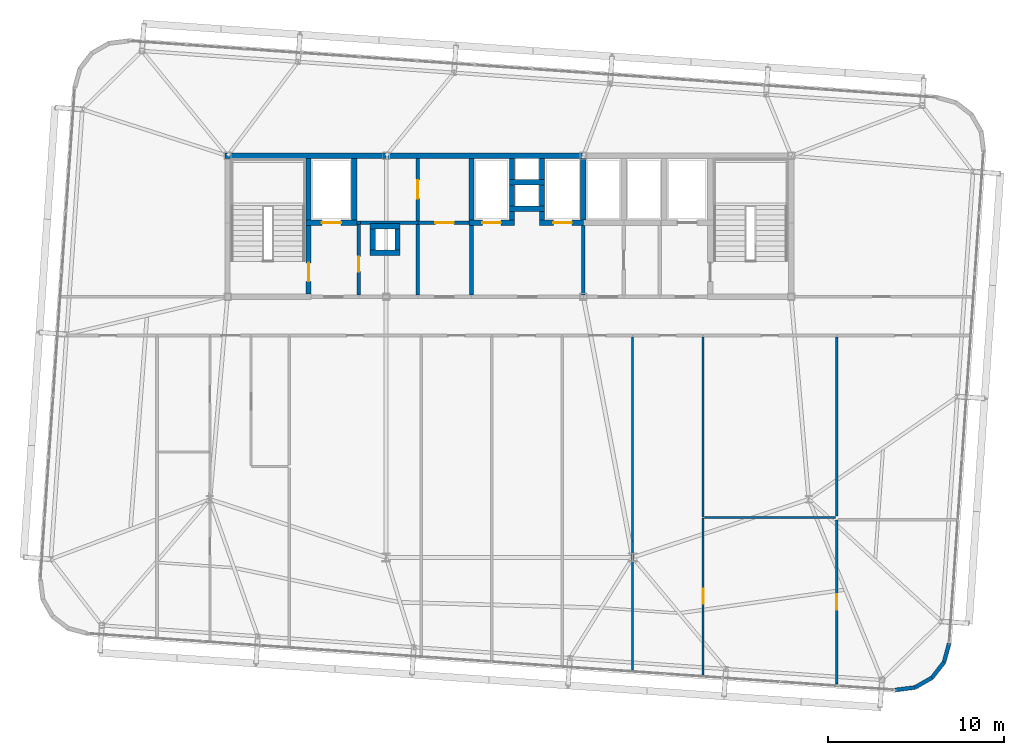
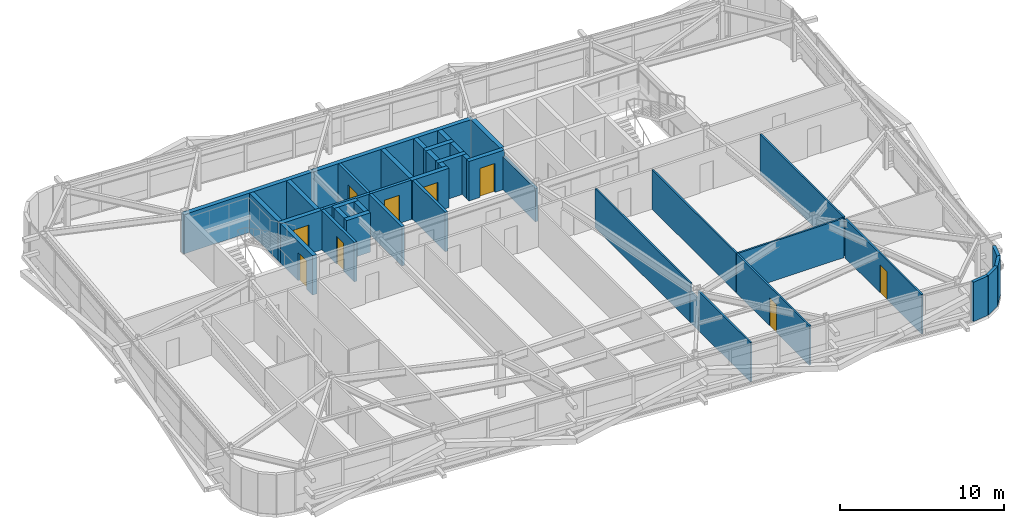
# One storey, part 42 of 47: 42 walls, 9 doors, 9 openings.
"""IFC4 building model written with IfcOpenShell, lengths in metres."""

from ifc_helpers import new_model, si_unit, direction, frame, frame_2d, origin, place, context, subcontext, project, spatial, rectangle, extrude, source, transform, mapped, material, layer, layer_set, type_object, element, fill, save


model = new_model("IFC4")

# Units and contexts
model_context = context("Model", 3, precision=1e-05, world=origin(), true_north=direction((0.0, 1.0)))
body_context = subcontext(model_context, "Body", "Model", "MODEL_VIEW")
ifc_project = project(units=[si_unit("LENGTHUNIT", "METRE"), si_unit("AREAUNIT", "SQUARE_METRE"), si_unit("VOLUMEUNIT", "CUBIC_METRE"), si_unit("PLANEANGLEUNIT", "RADIAN"), si_unit("MASSUNIT", "GRAM", prefix="KILO")], contexts=[model_context])

# Site, building, storey
site_placement = place(None, origin())
site = spatial("IfcSite", under=ifc_project, at=site_placement, CompositionType="ELEMENT")
building_placement = place(site_placement, origin())
building = spatial("IfcBuilding", under=site, at=building_placement, Name="Taldren Reach Tower", CompositionType="ELEMENT")
storey_placement = place(building_placement, frame((0.0, 0.0, 139.300048828125)))
storey = spatial("IfcBuildingStorey", under=building, at=storey_placement, Name="L42", CompositionType="ELEMENT", Elevation=139.300048828125)

# Walls
ifc_material_1 = material(Name="Pale Champagne Anodised Aluminium Cladding", Category="aluminium")
ifc_layer_1 = layer(ifc_material_1, 0.04, Name="Pale Champagne Anodised Aluminium Cladding", Category="aluminium")
ifc_material_2 = material(Name="Mineral Wool Acoustic Insulation", Category="insulation")
ifc_layer_2 = layer(ifc_material_2, 0.06, Name="Mineral Wool Acoustic Insulation", Category="insulation")
ifc_material_3 = material(Name="Steel Gr 350 (C350L0)", Category="steel")
ifc_layer_3 = layer(ifc_material_3, 0.12, Name="Steel Gr 350 (C350L0)", Category="steel")
ifc_layer_set_1 = layer_set([ifc_layer_1, ifc_layer_2, ifc_layer_3], Name="Pale Champagne Aluminium Cladding and Steel Gr 350 Stud Framing")
wall_type_1 = type_object("IfcWallType", Name="EW-CRN-220", PredefinedType="SOLIDWALL", material=ifc_layer_set_1)
shared_shape_1 = source(origin(), body_context, "Body", "SweptSolid", [
    extrude(rectangle(XDim=1.115966796875, YDim=0.219970703125, at=frame_2d((0.55810546875, 0.0))), origin(), (0.0, 0.0, 1.0), 2.929931640625),
])
for number, where, z_axis, x_axis, name in (
    (1, (58.02490234375, 1.8173828125, 0.0), (0.0, 0.0, 1.0), (0.868095010314, 0.496398079235, 0.0), "Rounded-corner pale-metal facade wall L42-SE2"),
    (2, (58.99365234375, 2.371337890625, 0.0), (0.0, 0.0, 1.0), (0.612318787668, 0.790610967714, 0.0), "Rounded-corner pale-metal facade wall L42-SE3"),
    (3, (59.677001953125, 3.253662109375, 0.0), (0.0, 0.0, 1.0), (0.262969307856, 0.964804199372, 0.0), "Rounded-corner pale-metal facade wall L42-SE4"),
):
    element("IfcWall", number, at=place(storey_placement, frame(where, z_axis=z_axis, x_axis=x_axis)), inside=storey, type_object=wall_type_1, Name=name, PredefinedType="SOLIDWALL", context=body_context, shape_type="MappedRepresentation", body=[
        mapped(shared_shape_1, transform((0.0, 0.0, 0.0), scale=1.0)),
    ])
shared_shape_2 = source(origin(), body_context, "Body", "SweptSolid", [
    extrude(rectangle(XDim=1.11572265625, YDim=0.219970703125, at=frame_2d((0.557861328125, 0.0))), origin(), (0.0, 0.0, 1.0), 2.929931640625),
])
wall_1_placement = place(storey_placement, frame((56.91796875, 1.6767578125, 0.0), z_axis=(0.0, 0.0, 1.0), x_axis=(0.99202678349, 0.126027222605, 0.0)))
element("IfcWall", 4, at=wall_1_placement, inside=storey, type_object=wall_type_1, Name="Rounded-corner pale-metal facade wall L42-SE1", PredefinedType="SOLIDWALL", context=body_context, shape_type="MappedRepresentation", body=[
    mapped(shared_shape_2, transform((0.0, 0.0, 0.0), scale=1.0)),
])
ifc_material_4 = material(Name="Concrete S65 (65 MPa)", Category="concrete")
ifc_layer_4 = layer(ifc_material_4, 0.300048828125)
ifc_layer_set_2 = layer_set([ifc_layer_4], Name="Concrete S65 (65 MPa)")
wall_type_2 = type_object("IfcWallType", Name="IW-CORE-300", PredefinedType="SHEAR", material=ifc_layer_set_2)
shared_shape_3 = source(origin(), body_context, "Body", "SweptSolid", [
    extrude(rectangle(XDim=9.14990234375, YDim=0.300048828125, at=frame_2d((4.574951171875, 0.0))), origin(), (0.0, 0.0, 1.0), 2.929931640625),
])
wall_2_placement = place(storey_placement, frame((18.85009765625, 32.0, 0.0), z_axis=(0.0, 0.0, 1.0), x_axis=(1.0, 0.0, 0.0)))
element("IfcWall", 5, at=wall_2_placement, inside=storey, type_object=wall_type_2, Name="Rear Core Shear Wall W-CORE-L42-NORTH1", PredefinedType="SHEAR", context=body_context, shape_type="MappedRepresentation", body=[
    mapped(shared_shape_3, transform((0.0, 0.0, 0.0), scale=1.0)),
])
shared_shape_4 = source(origin(), body_context, "Body", "SweptSolid", [
    extrude(rectangle(XDim=11.199951171875, YDim=0.300048828125, at=frame_2d((5.60009765625, 0.0))), origin(), (0.0, 0.0, 1.0), 2.929931640625),
])
wall_3_placement = place(storey_placement, frame((28.0, 32.0, 0.0), z_axis=(0.0, 0.0, 1.0), x_axis=(1.0, 0.0, 0.0)))
element("IfcWall", 6, at=wall_3_placement, inside=storey, type_object=wall_type_2, Name="Rear Core Shear Wall W-CORE-L42-NORTH2", PredefinedType="SHEAR", context=body_context, shape_type="MappedRepresentation", body=[
    mapped(shared_shape_4, transform((0.0, 0.0, 0.0), scale=1.0)),
])
shared_shape_5 = source(origin(), body_context, "Body", "SweptSolid", [
    extrude(rectangle(XDim=3.5, YDim=0.300048828125, at=frame_2d((1.75, 0.0))), origin(), (0.0, 0.0, 1.0), 2.929931640625),
])
for number, where, z_axis, x_axis, name in (
    (7, (23.60009765625, 28.35009765625, 0.0), (0.0, 0.0, 1.0), (0.0, 1.0, 0.0), "Rear Core Shear Wall W-INT-L42-001"),
    (8, (26.199951171875, 28.35009765625, 0.0), (0.0, 0.0, 1.0), (0.0, 1.0, 0.0), "Rear Core Shear Wall W-INT-L42-005"),
    (9, (32.85009765625, 31.85009765625, 0.0), (0.0, 0.0, 1.0), (0.0, -1.0, 0.0), "Rear Core Shear Wall W-INT-L42-027"),
    (10, (39.199951171875, 28.35009765625, 0.0), (0.0, 0.0, 1.0), (0.0, 1.0, 0.0), "Rear Core Shear Wall W-INT-L42-030"),
):
    element("IfcWall", number, at=place(storey_placement, frame(where, z_axis=z_axis, x_axis=x_axis)), inside=storey, type_object=wall_type_2, Name=name, PredefinedType="SHEAR", context=body_context, shape_type="MappedRepresentation", body=[
        mapped(shared_shape_5, transform((0.0, 0.0, 0.0), scale=1.0)),
    ])

# Wall, opening, door
shared_shape_6 = source(origin(), body_context, "Body", "SweptSolid", [
    extrude(rectangle(XDim=3.900146484375, YDim=0.300048828125, at=frame_2d((1.9501953125, 0.0))), origin(), (0.0, 0.0, 1.0), 2.929931640625),
])
wall_4_placement = place(storey_placement, frame((23.60009765625, 24.14990234375, 0.0), z_axis=(0.0, 0.0, 1.0), x_axis=(0.0, 1.0, 0.0)))
wall_4 = element("IfcWall", 11, at=wall_4_placement, inside=storey, type_object=wall_type_2, Name="Rear Core Shear Wall W-INT-L42-002", PredefinedType="SHEAR", context=body_context, shape_type="MappedRepresentation", body=[
    mapped(shared_shape_6, transform((0.0, 0.0, 0.0), scale=1.0)),
])
shared_shape_7 = source(origin(), body_context, "Body", "SweptSolid", [
    extrude(rectangle(XDim=1.050048828125, YDim=2.10009765625, at=frame_2d((0.52490234375, 1.050048828125))), frame((0.0, 0.16015625, 0.0), z_axis=(0.0, -1.0, 0.0), x_axis=(1.0, 0.0, 0.0)), (0.0, 0.0, 1.0), 0.320068359375),
])
opening_1_placement = place(wall_4_placement, frame((0.72509765625, 0.0, 0.0)))
opening_1 = element("IfcOpeningElement", 12, at=opening_1_placement, cuts=wall_4, Name="Opening DF-105", PredefinedType="OPENING", context=body_context, shape_type="MappedRepresentation", body=[
    mapped(shared_shape_7, transform((0.0, 0.0, 0.0), scale=1.0)),
])
ifc_material_5 = material(Name="Fire-Rated Care and Stair Exit Door")
door_type_1 = type_object("IfcDoorType", Name="ID-FIRE-105", OperationType="NOTDEFINED", PredefinedType="DOOR", material=ifc_material_5)
shared_shape_8 = source(origin(), body_context, "Body", "SweptSolid", [
    extrude(rectangle(XDim=1.050048828125, YDim=2.10009765625, at=frame_2d((0.52490234375, 1.050048828125))), frame((0.0, 0.02490234375, 0.0), z_axis=(0.0, -1.0, 0.0), x_axis=(1.0, 0.0, 0.0)), (0.0, 0.0, 1.0), 0.050048828125),
])
door_1_placement = place(opening_1_placement, origin())
door_1 = element("IfcDoor", 13, at=door_1_placement, inside=storey, type_object=door_type_1, Name="Fire Exit Stair Door DR-L42-001", OperationType="SINGLE_SWING_LEFT", OverallHeight=2.10009765625, OverallWidth=1.050048828125, PredefinedType="DOOR", context=body_context, shape_type="MappedRepresentation", body=[
    mapped(shared_shape_8, transform((0.0, 0.0, 0.0), scale=1.0)),
])
fill(opening_1, door_1)

shared_shape_9 = source(origin(), body_context, "Body", "SweptSolid", [
    extrude(rectangle(XDim=2.900146484375, YDim=0.300048828125, at=frame_2d((1.4501953125, 0.0))), origin(), (0.0, 0.0, 1.0), 2.929931640625),
])
wall_5_placement = place(storey_placement, frame((23.449951171875, 28.199951171875, 0.0), z_axis=(0.0, 0.0, 1.0), x_axis=(1.0, 0.0, 0.0)))
wall_5 = element("IfcWall", 14, at=wall_5_placement, inside=storey, type_object=wall_type_2, Name="Rear Core Shear Wall W-INT-L42-004", PredefinedType="SHEAR", context=body_context, shape_type="MappedRepresentation", body=[
    mapped(shared_shape_9, transform((0.0, 0.0, 0.0), scale=1.0)),
])
shared_shape_10 = source(origin(), body_context, "Body", "SweptSolid", [
    extrude(rectangle(XDim=1.10009765625, YDim=2.14990234375, at=frame_2d((0.550048828125, 1.074951171875))), frame((0.0, 0.16015625, 0.0), z_axis=(0.0, -1.0, 0.0), x_axis=(1.0, 0.0, 0.0)), (0.0, 0.0, 1.0), 0.320068359375),
])
opening_2_placement = place(wall_5_placement, frame((0.89990234375, 0.0, 0.0)))
opening_2 = element("IfcOpeningElement", 15, at=opening_2_placement, cuts=wall_5, Name="Opening LD-FL1", PredefinedType="OPENING", context=body_context, shape_type="MappedRepresentation", body=[
    mapped(shared_shape_10, transform((0.0, 0.0, 0.0), scale=1.0)),
])
ifc_material_6 = material(Name="Stainless Steel Gr 316 Emergency Lift Landing Door", Category="steel")
door_type_2 = type_object("IfcDoorType", Name="LD-EMG-110", OperationType="SLIDING_TO_LEFT", PredefinedType="DOOR", material=ifc_material_6)
shared_shape_11 = source(origin(), body_context, "Body", "SweptSolid", [
    extrude(rectangle(XDim=1.10009765625, YDim=2.14990234375, at=frame_2d((0.550048828125, 1.074951171875))), frame((0.0, 0.02490234375, 0.0), z_axis=(0.0, -1.0, 0.0), x_axis=(1.0, 0.0, 0.0)), (0.0, 0.0, 1.0), 0.050048828125),
])
door_2_placement = place(opening_2_placement, origin())
door_2 = element("IfcDoor", 16, at=door_2_placement, inside=storey, type_object=door_type_2, Name="Lift Landing Door LD-FL1-L42", OperationType="SLIDING_TO_LEFT", OverallHeight=2.14990234375, OverallWidth=1.10009765625, PredefinedType="DOOR", context=body_context, shape_type="MappedRepresentation", body=[
    mapped(shared_shape_11, transform((0.0, 0.0, 0.0), scale=1.0)),
])
fill(opening_2, door_2)

# Walls
ifc_material_7 = material(Name="Concrete S50 (50 MPa)", Category="concrete")
ifc_layer_5 = layer(ifc_material_7, 0.199951171875)
ifc_layer_set_3 = layer_set([ifc_layer_5], Name="Concrete S50 (50 MPa)")
wall_type_3 = type_object("IfcWallType", Name="IW-CORE-200", PredefinedType="SOLIDWALL", material=ifc_layer_set_3)
shared_shape_12 = source(origin(), body_context, "Body", "SweptSolid", [
    extrude(rectangle(XDim=3.949951171875, YDim=0.199951171875, at=frame_2d((1.97509765625, 0.0))), origin(), (0.0, 0.0, 1.0), 2.929931640625),
])
wall_6_placement = place(storey_placement, frame((32.85009765625, 24.10009765625, 0.0), z_axis=(0.0, 0.0, 1.0), x_axis=(0.0, 1.0, 0.0)))
element("IfcWall", 17, at=wall_6_placement, inside=storey, type_object=wall_type_3, Name="Rear Core Shear Wall W-INT-L42-031", PredefinedType="SOLIDWALL", context=body_context, shape_type="MappedRepresentation", body=[
    mapped(shared_shape_12, transform((0.0, 0.0, 0.0), scale=1.0)),
])
shared_shape_13 = source(origin(), body_context, "Body", "SweptSolid", [
    extrude(rectangle(XDim=2.0, YDim=0.300048828125, at=frame_2d((1.0, 0.0))), origin(), (0.0, 0.0, 1.0), 2.929931640625),
])
for number, where, z_axis, x_axis, name in (
    (18, (35.0, 30.5, 0.0), (0.0, 0.0, 1.0), (1.0, 0.0, 0.0), "Rear Core Shear Wall W-INT-L42-015"),
    (19, (35.0, 29.0, 0.0), (0.0, 0.0, 1.0), (1.0, 0.0, 0.0), "Rear Core Shear Wall W-INT-L42-020"),
):
    element("IfcWall", number, at=place(storey_placement, frame(where, z_axis=z_axis, x_axis=x_axis)), inside=storey, type_object=wall_type_2, Name=name, PredefinedType="SHEAR", context=body_context, shape_type="MappedRepresentation", body=[
        mapped(shared_shape_13, transform((0.0, 0.0, 0.0), scale=1.0)),
    ])
shared_shape_14 = source(origin(), body_context, "Body", "SweptSolid", [
    extrude(rectangle(XDim=1.2001953125, YDim=0.300048828125, at=frame_2d((0.60009765625, 0.0))), origin(), (0.0, 0.0, 1.0), 2.929931640625),
])
for number, where, z_axis, x_axis, name in (
    (20, (35.14990234375, 31.85009765625, 0.0), (0.0, 0.0, 1.0), (0.0, -1.0, 0.0), "Rear Core Shear Wall W-INT-L42-016"),
    (21, (36.85009765625, 30.64990234375, 0.0), (0.0, 0.0, 1.0), (0.0, 1.0, 0.0), "Rear Core Shear Wall W-INT-L42-017"),
    (22, (35.14990234375, 30.35009765625, 0.0), (0.0, 0.0, 1.0), (0.0, -1.0, 0.0), "Rear Core Shear Wall W-INT-L42-018"),
    (23, (36.85009765625, 29.14990234375, 0.0), (0.0, 0.0, 1.0), (0.0, 1.0, 0.0), "Rear Core Shear Wall W-INT-L42-019"),
    (24, (28.64990234375, 26.64990234375, 0.0), (0.0, 0.0, 1.0), (0.0, 1.0, 0.0), "Rear Core Shear Wall W-INT-L42-021"),
    (25, (27.25, 27.85009765625, 0.0), (0.0, 0.0, 1.0), (0.0, -1.0, 0.0), "Rear Core Shear Wall W-INT-L42-022"),
):
    element("IfcWall", number, at=place(storey_placement, frame(where, z_axis=z_axis, x_axis=x_axis)), inside=storey, type_object=wall_type_2, Name=name, PredefinedType="SHEAR", context=body_context, shape_type="MappedRepresentation", body=[
        mapped(shared_shape_14, transform((0.0, 0.0, 0.0), scale=1.0)),
    ])
shared_shape_15 = source(origin(), body_context, "Body", "SweptSolid", [
    extrude(rectangle(XDim=0.5, YDim=0.300048828125, at=frame_2d((0.25, 0.0))), origin(), (0.0, 0.0, 1.0), 2.929931640625),
])
for number, where, z_axis, x_axis, name in (
    (26, (35.14990234375, 28.35009765625, 0.0), (0.0, 0.0, 1.0), (0.0, 1.0, 0.0), "Rear Core Shear Wall W-INT-L42-026"),
    (27, (36.85009765625, 28.85009765625, 0.0), (0.0, 0.0, 1.0), (0.0, -1.0, 0.0), "Rear Core Shear Wall W-INT-L42-029"),
):
    element("IfcWall", number, at=place(storey_placement, frame(where, z_axis=z_axis, x_axis=x_axis)), inside=storey, type_object=wall_type_2, Name=name, PredefinedType="SHEAR", context=body_context, shape_type="MappedRepresentation", body=[
        mapped(shared_shape_15, transform((0.0, 0.0, 0.0), scale=1.0)),
    ])

# Wall, opening, door
shared_shape_16 = source(origin(), body_context, "Body", "SweptSolid", [
    extrude(rectangle(XDim=2.60009765625, YDim=0.300048828125, at=frame_2d((1.300048828125, 0.0))), origin(), (0.0, 0.0, 1.0), 2.929931640625),
])
wall_7_placement = place(storey_placement, frame((32.699951171875, 28.199951171875, 0.0), z_axis=(0.0, 0.0, 1.0), x_axis=(1.0, 0.0, 0.0)))
wall_7 = element("IfcWall", 28, at=wall_7_placement, inside=storey, type_object=wall_type_2, Name="Rear Core Shear Wall W-INT-L42-025", PredefinedType="SHEAR", context=body_context, shape_type="MappedRepresentation", body=[
    mapped(shared_shape_16, transform((0.0, 0.0, 0.0), scale=1.0)),
])
shared_shape_17 = source(origin(), body_context, "Body", "SweptSolid", [
    extrude(rectangle(XDim=1.050048828125, YDim=2.14990234375, at=frame_2d((0.52490234375, 1.074951171875))), frame((0.0, 0.16015625, 0.0), z_axis=(0.0, -1.0, 0.0), x_axis=(1.0, 0.0, 0.0)), (0.0, 0.0, 1.0), 0.320068359375),
])
opening_3_placement = place(wall_7_placement, frame((0.77490234375, 0.0, 0.0)))
opening_3 = element("IfcOpeningElement", 29, at=opening_3_placement, cuts=wall_7, Name="Opening LD-PM1", PredefinedType="OPENING", context=body_context, shape_type="MappedRepresentation", body=[
    mapped(shared_shape_17, transform((0.0, 0.0, 0.0), scale=1.0)),
])
ifc_material_8 = material(Name="Stainless Steel Gr 316 Passenger Lift Landing Door", Category="steel")
door_type_3 = type_object("IfcDoorType", Name="LD-PAS-105", OperationType="SLIDING_TO_LEFT", PredefinedType="DOOR", material=ifc_material_8)
shared_shape_18 = source(origin(), body_context, "Body", "SweptSolid", [
    extrude(rectangle(XDim=1.050048828125, YDim=2.14990234375, at=frame_2d((0.52490234375, 1.074951171875))), frame((0.0, 0.02490234375, 0.0), z_axis=(0.0, -1.0, 0.0), x_axis=(1.0, 0.0, 0.0)), (0.0, 0.0, 1.0), 0.050048828125),
])
door_3_placement = place(opening_3_placement, origin())
door_3 = element("IfcDoor", 30, at=door_3_placement, inside=storey, type_object=door_type_3, Name="Lift Landing Door LD-PM1-L42", OperationType="SLIDING_TO_LEFT", OverallHeight=2.14990234375, OverallWidth=1.050048828125, PredefinedType="DOOR", context=body_context, shape_type="MappedRepresentation", body=[
    mapped(shared_shape_18, transform((0.0, 0.0, 0.0), scale=1.0)),
])
fill(opening_3, door_3)

shared_shape_19 = source(origin(), body_context, "Body", "SweptSolid", [
    extrude(rectangle(XDim=4.0, YDim=0.199951171875, at=frame_2d((2.0, 0.0))), origin(), (0.0, 0.0, 1.0), 2.929931640625),
])
wall_8_placement = place(storey_placement, frame((26.449951171875, 24.10009765625, 0.0), z_axis=(0.0, 0.0, 1.0), x_axis=(0.0, 1.0, 0.0)))
wall_8 = element("IfcWall", 31, at=wall_8_placement, inside=storey, type_object=wall_type_3, Name="Rear Core Shear Wall W-INT-L42-006", PredefinedType="SOLIDWALL", context=body_context, shape_type="MappedRepresentation", body=[
    mapped(shared_shape_19, transform((0.0, 0.0, 0.0), scale=1.0)),
])
shared_shape_20 = source(origin(), body_context, "Body", "SweptSolid", [
    extrude(rectangle(XDim=0.860107421875, YDim=2.10009765625, at=frame_2d((0.43017578125, 1.050048828125))), frame((0.0, 0.10986328125, 0.0), z_axis=(0.0, -1.0, 0.0), x_axis=(1.0, 0.0, 0.0)), (0.0, 0.0, 1.0), 0.219970703125),
])
opening_4_placement = place(wall_8_placement, frame((1.320068359375, 0.0, 0.0)))
opening_4 = element("IfcOpeningElement", 32, at=opening_4_placement, cuts=wall_8, Name="Opening DI-086", PredefinedType="OPENING", context=body_context, shape_type="MappedRepresentation", body=[
    mapped(shared_shape_20, transform((0.0, 0.0, 0.0), scale=1.0)),
])
ifc_material_9 = material(Name="Timber Bathroom Door", Category="wood")
door_type_4 = type_object("IfcDoorType", Name="ID-INT-086", OperationType="NOTDEFINED", PredefinedType="DOOR", material=ifc_material_9)
shared_shape_21 = source(origin(), body_context, "Body", "SweptSolid", [
    extrude(rectangle(XDim=0.860107421875, YDim=2.10009765625, at=frame_2d((0.43017578125, 1.050048828125))), frame((0.0, 0.02490234375, 0.0), z_axis=(0.0, -1.0, 0.0), x_axis=(1.0, 0.0, 0.0)), (0.0, 0.0, 1.0), 0.050048828125),
])
door_4_placement = place(opening_4_placement, frame((0.860107421875, 0.0, 0.0), z_axis=(0.0, 0.0, 1.0), x_axis=(-1.0, 0.0, 0.0)))
door_4 = element("IfcDoor", 33, at=door_4_placement, inside=storey, type_object=door_type_4, Name="Interior Door DR-L42-024", OperationType="SINGLE_SWING_RIGHT", OverallHeight=2.10009765625, OverallWidth=0.860107421875, PredefinedType="DOOR", context=body_context, shape_type="MappedRepresentation", body=[
    mapped(shared_shape_21, transform((0.0, 0.0, 0.0), scale=1.0)),
])
fill(opening_4, door_4)

# Walls
wall_9_placement = place(storey_placement, frame((29.800048828125, 28.10009765625, 0.0), z_axis=(0.0, 0.0, 1.0), x_axis=(0.0, -1.0, 0.0)))
element("IfcWall", 34, at=wall_9_placement, inside=storey, type_object=wall_type_3, Name="Rear Core Shear Wall W-INT-L42-037", PredefinedType="SOLIDWALL", context=body_context, shape_type="MappedRepresentation", body=[
    mapped(shared_shape_19, transform((0.0, 0.0, 0.0), scale=1.0)),
])
shared_shape_22 = source(origin(), body_context, "Body", "SweptSolid", [
    extrude(rectangle(XDim=1.699951171875, YDim=0.300048828125, at=frame_2d((0.85009765625, 0.0))), origin(), (0.0, 0.0, 1.0), 2.929931640625),
])
for number, where, z_axis, x_axis, name in (
    (35, (28.800048828125, 28.0, 0.0), (0.0, 0.0, 1.0), (-1.0, 0.0, 0.0), "Rear Core Shear Wall W-INT-L42-023"),
    (36, (27.10009765625, 26.5, 0.0), (0.0, 0.0, 1.0), (1.0, 0.0, 0.0), "Rear Core Shear Wall W-INT-L42-024"),
):
    element("IfcWall", number, at=place(storey_placement, frame(where, z_axis=z_axis, x_axis=x_axis)), inside=storey, type_object=wall_type_2, Name=name, PredefinedType="SHEAR", context=body_context, shape_type="MappedRepresentation", body=[
        mapped(shared_shape_22, transform((0.0, 0.0, 0.0), scale=1.0)),
    ])

# Wall, opening, door
shared_shape_23 = source(origin(), body_context, "Body", "SweptSolid", [
    extrude(rectangle(XDim=2.5, YDim=0.300048828125, at=frame_2d((1.25, 0.0))), origin(), (0.0, 0.0, 1.0), 2.929931640625),
])
wall_10_placement = place(storey_placement, frame((36.699951171875, 28.199951171875, 0.0), z_axis=(0.0, 0.0, 1.0), x_axis=(1.0, 0.0, 0.0)))
wall_10 = element("IfcWall", 37, at=wall_10_placement, inside=storey, type_object=wall_type_2, Name="Rear Core Shear Wall W-INT-L42-028", PredefinedType="SHEAR", context=body_context, shape_type="MappedRepresentation", body=[
    mapped(shared_shape_23, transform((0.0, 0.0, 0.0), scale=1.0)),
])
opening_5_placement = place(wall_10_placement, frame((0.794921875, 0.0, 0.0)))
opening_5 = element("IfcOpeningElement", 38, at=opening_5_placement, cuts=wall_10, Name="Opening LD-PM2", PredefinedType="OPENING", context=body_context, shape_type="MappedRepresentation", body=[
    mapped(shared_shape_17, transform((0.0, 0.0, 0.0), scale=1.0)),
])
door_5_placement = place(opening_5_placement, origin())
door_5 = element("IfcDoor", 39, at=door_5_placement, inside=storey, type_object=door_type_3, Name="Lift Landing Door LD-PM2-L42", OperationType="SLIDING_TO_LEFT", OverallHeight=2.14990234375, OverallWidth=1.050048828125, PredefinedType="DOOR", context=body_context, shape_type="MappedRepresentation", body=[
    mapped(shared_shape_18, transform((0.0, 0.0, 0.0), scale=1.0)),
])
fill(opening_5, door_5)

# Walls
shared_shape_24 = source(origin(), body_context, "Body", "SweptSolid", [
    extrude(rectangle(XDim=3.949951171875, YDim=0.199951171875, at=frame_2d((1.97509765625, 0.0))), origin(), (0.0, 0.0, 1.0), 2.469970703125),
])
wall_11_placement = place(storey_placement, frame((39.199951171875, 28.050048828125, 0.0), z_axis=(0.0, 0.0, 1.0), x_axis=(0.0, -1.0, 0.0)))
element("IfcWall", 40, at=wall_11_placement, inside=storey, type_object=wall_type_3, Name="Rear Core Shear Wall W-INT-L42-032", PredefinedType="SOLIDWALL", context=body_context, shape_type="MappedRepresentation", body=[
    mapped(shared_shape_24, transform((0.0, 0.0, 0.0), scale=1.0)),
])
shared_shape_25 = source(origin(), body_context, "Body", "SweptSolid", [
    extrude(rectangle(XDim=3.35009765625, YDim=0.199951171875, at=frame_2d((1.675048828125, 0.0))), origin(), (0.0, 0.0, 1.0), 2.929931640625),
])
wall_12_placement = place(storey_placement, frame((26.449951171875, 28.199951171875, 0.0), z_axis=(0.0, 0.0, 1.0), x_axis=(1.0, 0.0, 0.0)))
element("IfcWall", 41, at=wall_12_placement, inside=storey, type_object=wall_type_3, Name="Rear Core Shear Wall W-INT-L42-038", PredefinedType="SOLIDWALL", context=body_context, shape_type="MappedRepresentation", body=[
    mapped(shared_shape_25, transform((0.0, 0.0, 0.0), scale=1.0)),
])

# Wall, opening, door
shared_shape_26 = source(origin(), body_context, "Body", "SweptSolid", [
    extrude(rectangle(XDim=2.89990234375, YDim=0.199951171875, at=frame_2d((1.449951171875, 0.0))), origin(), (0.0, 0.0, 1.0), 2.929931640625),
])
wall_13_placement = place(storey_placement, frame((29.800048828125, 28.199951171875, 0.0), z_axis=(0.0, 0.0, 1.0), x_axis=(1.0, 0.0, 0.0)))
wall_13 = element("IfcWall", 42, at=wall_13_placement, inside=storey, type_object=wall_type_3, Name="Rear Core Shear Wall W-INT-L42-040", PredefinedType="SOLIDWALL", context=body_context, shape_type="MappedRepresentation", body=[
    mapped(shared_shape_26, transform((0.0, 0.0, 0.0), scale=1.0)),
])
shared_shape_27 = source(origin(), body_context, "Body", "SweptSolid", [
    extrude(rectangle(XDim=1.050048828125, YDim=2.10009765625, at=frame_2d((0.52490234375, 1.050048828125))), frame((0.0, 0.10986328125, 0.0), z_axis=(0.0, -1.0, 0.0), x_axis=(1.0, 0.0, 0.0)), (0.0, 0.0, 1.0), 0.219970703125),
])
opening_6_placement = place(wall_13_placement, frame((1.0, 0.0, 0.0)))
opening_6 = element("IfcOpeningElement", 43, at=opening_6_placement, cuts=wall_13, Name="Opening DF-105", PredefinedType="OPENING", context=body_context, shape_type="MappedRepresentation", body=[
    mapped(shared_shape_27, transform((0.0, 0.0, 0.0), scale=1.0)),
])
door_6_placement = place(opening_6_placement, origin())
door_6 = element("IfcDoor", 44, at=door_6_placement, inside=storey, type_object=door_type_1, Name="Interior Door DR-L42-006", OperationType="SINGLE_SWING_LEFT", OverallHeight=2.10009765625, OverallWidth=1.050048828125, PredefinedType="DOOR", context=body_context, shape_type="MappedRepresentation", body=[
    mapped(shared_shape_8, transform((0.0, 0.0, 0.0), scale=1.0)),
])
fill(opening_6, door_6)

shared_shape_28 = source(origin(), body_context, "Body", "SweptSolid", [
    extrude(rectangle(XDim=3.550048828125, YDim=0.199951171875, at=frame_2d((1.77490234375, 0.0))), origin(), (0.0, 0.0, 1.0), 2.929931640625),
])
wall_14_placement = place(storey_placement, frame((29.800048828125, 31.85009765625, 0.0), z_axis=(0.0, 0.0, 1.0), x_axis=(0.0, -1.0, 0.0)))
wall_14 = element("IfcWall", 45, at=wall_14_placement, inside=storey, type_object=wall_type_3, Name="Rear Core Shear Wall W-INT-L42-042", PredefinedType="SOLIDWALL", context=body_context, shape_type="MappedRepresentation", body=[
    mapped(shared_shape_28, transform((0.0, 0.0, 0.0), scale=1.0)),
])
opening_7_placement = place(wall_14_placement, frame((1.22509765625, 0.0, 0.0)))
opening_7 = element("IfcOpeningElement", 46, at=opening_7_placement, cuts=wall_14, Name="Opening DF-105", PredefinedType="OPENING", context=body_context, shape_type="MappedRepresentation", body=[
    mapped(shared_shape_27, transform((0.0, 0.0, 0.0), scale=1.0)),
])
door_7_placement = place(opening_7_placement, frame((1.050048828125, 0.0, 0.0), z_axis=(0.0, 0.0, 1.0), x_axis=(-1.0, 0.0, 0.0)))
door_7 = element("IfcDoor", 47, at=door_7_placement, inside=storey, type_object=door_type_1, Name="Interior Door DR-L42-008", OperationType="SINGLE_SWING_RIGHT", OverallHeight=2.10009765625, OverallWidth=1.050048828125, PredefinedType="DOOR", context=body_context, shape_type="MappedRepresentation", body=[
    mapped(shared_shape_8, transform((0.0, 0.0, 0.0), scale=1.0)),
])
fill(opening_7, door_7)

# Walls
shared_shape_29 = source(origin(), body_context, "Body", "SweptSolid", [
    extrude(rectangle(XDim=0.199951171875, YDim=0.199951171875, at=frame_2d((0.10009765625, 0.0))), origin(), (0.0, 0.0, 1.0), 2.929931640625),
])
wall_15_placement = place(storey_placement, frame((26.35009765625, 28.199951171875, 0.0), z_axis=(0.0, 0.0, 1.0), x_axis=(1.0, 0.0, 0.0)))
element("IfcWall", 48, at=wall_15_placement, inside=storey, type_object=wall_type_3, Name="Rear Core Partition Wall W-INT-L42-078", PredefinedType="SOLIDWALL", context=body_context, shape_type="MappedRepresentation", body=[
    mapped(shared_shape_29, transform((0.0, 0.0, 0.0), scale=1.0)),
])
ifc_material_10 = material(Name="Insulated Residential Stud Partition", Category="gypsum")
ifc_layer_6 = layer(ifc_material_10, 0.1201171875)
ifc_layer_set_4 = layer_set([ifc_layer_6], Name="Insulated Residential Stud Partition")
wall_type_4 = type_object("IfcWallType", Name="IW-PART-120", PredefinedType="PARTITIONING", material=ifc_layer_set_4)
shared_shape_30 = source(origin(), body_context, "Body", "SweptSolid", [
    extrude(rectangle(XDim=11.589599609375, YDim=0.1201171875, at=frame_2d((5.794921875, 0.0))), origin(), (0.0, 0.0, 1.0), 2.929931640625),
])
wall_16_placement = place(storey_placement, frame((42.0, 21.719970703125, 0.0), z_axis=(0.0, 0.0, 1.0), x_axis=(0.0, -1.0, 0.0)))
element("IfcWall", 49, at=wall_16_placement, inside=storey, type_object=wall_type_4, Name="Interior Partition Wall W-INT-L42-071", PredefinedType="PARTITIONING", context=body_context, shape_type="MappedRepresentation", body=[
    mapped(shared_shape_30, transform((0.0, 0.0, 0.0), scale=1.0)),
])
shared_shape_31 = source(origin(), body_context, "Body", "SweptSolid", [
    extrude(rectangle(XDim=0.941650390625, YDim=0.1201171875, at=frame_2d((0.470703125, 0.0))), origin(), (0.0, 0.0, 1.0), 2.327880859375),
])
wall_17_placement = place(storey_placement, frame((42.0, 10.13037109375, 0.0), z_axis=(0.0, 0.0, 1.0), x_axis=(0.0, -1.0, 0.0)))
element("IfcWall", 50, at=wall_17_placement, inside=storey, type_object=wall_type_4, Name="Interior Partition Wall W-INT-L42-071 part 2", PredefinedType="PARTITIONING", context=body_context, shape_type="MappedRepresentation", body=[
    mapped(shared_shape_31, transform((0.0, 0.0, 0.0), scale=1.0)),
])
shared_shape_32 = source(origin(), body_context, "Body", "SweptSolid", [
    extrude(rectangle(XDim=6.373046875, YDim=0.1201171875, at=frame_2d((3.1865234375, 0.0))), origin(), (0.0, 0.0, 1.0), 2.929931640625),
])
wall_18_placement = place(storey_placement, frame((42.0, 9.188720703125, 0.0), z_axis=(0.0, 0.0, 1.0), x_axis=(0.0, -1.0, 0.0)))
element("IfcWall", 51, at=wall_18_placement, inside=storey, type_object=wall_type_4, Name="Interior Partition Wall W-INT-L42-071 part 3", PredefinedType="PARTITIONING", context=body_context, shape_type="MappedRepresentation", body=[
    mapped(shared_shape_32, transform((0.0, 0.0, 0.0), scale=1.0)),
])

# Wall, opening, door
shared_shape_33 = source(origin(), body_context, "Body", "SweptSolid", [
    extrude(rectangle(XDim=8.9072265625, YDim=0.1201171875, at=frame_2d((4.45361328125, 0.0))), origin(), (0.0, 0.0, 1.0), 2.929931640625),
])
wall_19_placement = place(storey_placement, frame((46.0, 11.445068359375, 0.0), z_axis=(0.0, 0.0, 1.0), x_axis=(0.0, -1.0, 0.0)))
wall_19 = element("IfcWall", 52, at=wall_19_placement, inside=storey, type_object=wall_type_4, Name="Interior Partition Wall W-INT-L42-072", PredefinedType="PARTITIONING", context=body_context, shape_type="MappedRepresentation", body=[
    mapped(shared_shape_33, transform((0.0, 0.0, 0.0), scale=1.0)),
])
shared_shape_34 = source(origin(), body_context, "Body", "SweptSolid", [
    extrude(rectangle(XDim=0.860107421875, YDim=2.10009765625, at=frame_2d((0.43017578125, 1.050048828125))), frame((0.0, 0.070068359375, 0.0), z_axis=(0.0, -1.0, 0.0), x_axis=(1.0, 0.0, 0.0)), (0.0, 0.0, 1.0), 0.14013671875),
])
opening_8_placement = place(wall_19_placement, frame((4.023681640625, 0.0, 0.0)))
opening_8 = element("IfcOpeningElement", 53, at=opening_8_placement, cuts=wall_19, Name="Opening DI-086", PredefinedType="OPENING", context=body_context, shape_type="MappedRepresentation", body=[
    mapped(shared_shape_34, transform((0.0, 0.0, 0.0), scale=1.0)),
])
door_8_placement = place(opening_8_placement, origin())
door_8 = element("IfcDoor", 54, at=door_8_placement, inside=storey, type_object=door_type_4, Name="Interior Door DR-L42-025", OperationType="SINGLE_SWING_RIGHT", OverallHeight=2.10009765625, OverallWidth=0.860107421875, PredefinedType="DOOR", context=body_context, shape_type="MappedRepresentation", body=[
    mapped(shared_shape_21, transform((0.0, 0.0, 0.0), scale=1.0)),
])
fill(opening_8, door_8)

# Walls
shared_shape_35 = source(origin(), body_context, "Body", "SweptSolid", [
    extrude(rectangle(XDim=10.232666015625, YDim=0.1201171875, at=frame_2d((5.1162109375, 0.0))), origin(), (0.0, 0.0, 1.0), 2.929931640625),
])
wall_20_placement = place(storey_placement, frame((46.0, 21.718017578125, 0.0), z_axis=(0.0, 0.0, 1.0), x_axis=(0.0, -1.0, 0.0)))
element("IfcWall", 55, at=wall_20_placement, inside=storey, type_object=wall_type_4, Name="Interior Partition Wall W-INT-L42-073", PredefinedType="PARTITIONING", context=body_context, shape_type="MappedRepresentation", body=[
    mapped(shared_shape_35, transform((0.0, 0.0, 0.0), scale=1.0)),
])
shared_shape_36 = source(origin(), body_context, "Body", "SweptSolid", [
    extrude(rectangle(XDim=7.427978515625, YDim=0.1201171875, at=frame_2d((3.7138671875, 0.0))), origin(), (0.0, 0.0, 1.0), 2.929931640625),
])
wall_21_placement = place(storey_placement, frame((46.080078125, 11.465087890625, 0.0), z_axis=(0.0, 0.0, 1.0), x_axis=(1.0, 0.0, 0.0)))
element("IfcWall", 56, at=wall_21_placement, inside=storey, type_object=wall_type_4, Name="Interior Partition Wall W-INT-L42-074", PredefinedType="PARTITIONING", context=body_context, shape_type="MappedRepresentation", body=[
    mapped(shared_shape_36, transform((0.0, 0.0, 0.0), scale=1.0)),
])

# Wall, opening, door
shared_shape_37 = source(origin(), body_context, "Body", "SweptSolid", [
    extrude(rectangle(XDim=9.3134765625, YDim=0.1201171875, at=frame_2d((4.65673828125, 0.0))), origin(), (0.0, 0.0, 1.0), 2.929931640625),
])
wall_22_placement = place(storey_placement, frame((53.588134765625, 11.32177734375, 0.0), z_axis=(0.0, 0.0, 1.0), x_axis=(0.0, -1.0, 0.0)))
wall_22 = element("IfcWall", 57, at=wall_22_placement, inside=storey, type_object=wall_type_4, Name="Interior Partition Wall W-INT-L42-075", PredefinedType="PARTITIONING", context=body_context, shape_type="MappedRepresentation", body=[
    mapped(shared_shape_37, transform((0.0, 0.0, 0.0), scale=1.0)),
])
opening_9_placement = place(wall_22_placement, frame((4.226806640625, 0.0, 0.0)))
opening_9 = element("IfcOpeningElement", 58, at=opening_9_placement, cuts=wall_22, Name="Opening DI-086", PredefinedType="OPENING", context=body_context, shape_type="MappedRepresentation", body=[
    mapped(shared_shape_34, transform((0.0, 0.0, 0.0), scale=1.0)),
])
door_9_placement = place(opening_9_placement, origin())
door_9 = element("IfcDoor", 59, at=door_9_placement, inside=storey, type_object=door_type_4, Name="Interior Door DR-L42-026", OperationType="SINGLE_SWING_LEFT", OverallHeight=2.10009765625, OverallWidth=0.860107421875, PredefinedType="DOOR", context=body_context, shape_type="MappedRepresentation", body=[
    mapped(shared_shape_21, transform((0.0, 0.0, 0.0), scale=1.0)),
])
fill(opening_9, door_9)

# Wall
shared_shape_38 = source(origin(), body_context, "Body", "SweptSolid", [
    extrude(rectangle(XDim=10.171875, YDim=0.1201171875, at=frame_2d((5.0859375, 0.0))), origin(), (0.0, 0.0, 1.0), 2.929931640625),
])
wall_23_placement = place(storey_placement, frame((53.588134765625, 21.717041015625, 0.0), z_axis=(0.0, 0.0, 1.0), x_axis=(0.0, -1.0, 0.0)))
element("IfcWall", 60, at=wall_23_placement, inside=storey, type_object=wall_type_4, Name="Interior Partition Wall W-INT-L42-076", PredefinedType="PARTITIONING", context=body_context, shape_type="MappedRepresentation", body=[
    mapped(shared_shape_38, transform((0.0, 0.0, 0.0), scale=1.0)),
])

save(model, "model.ifc")
